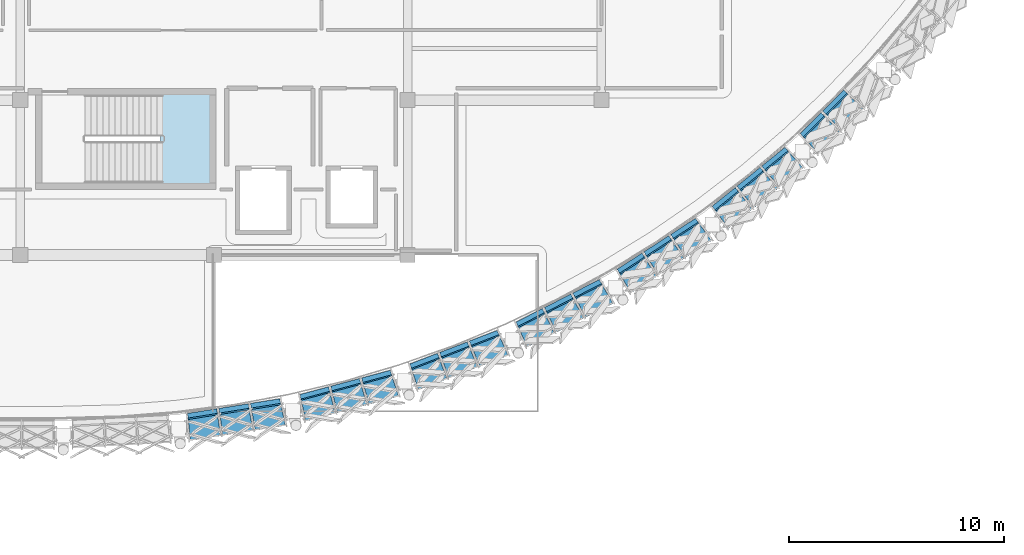
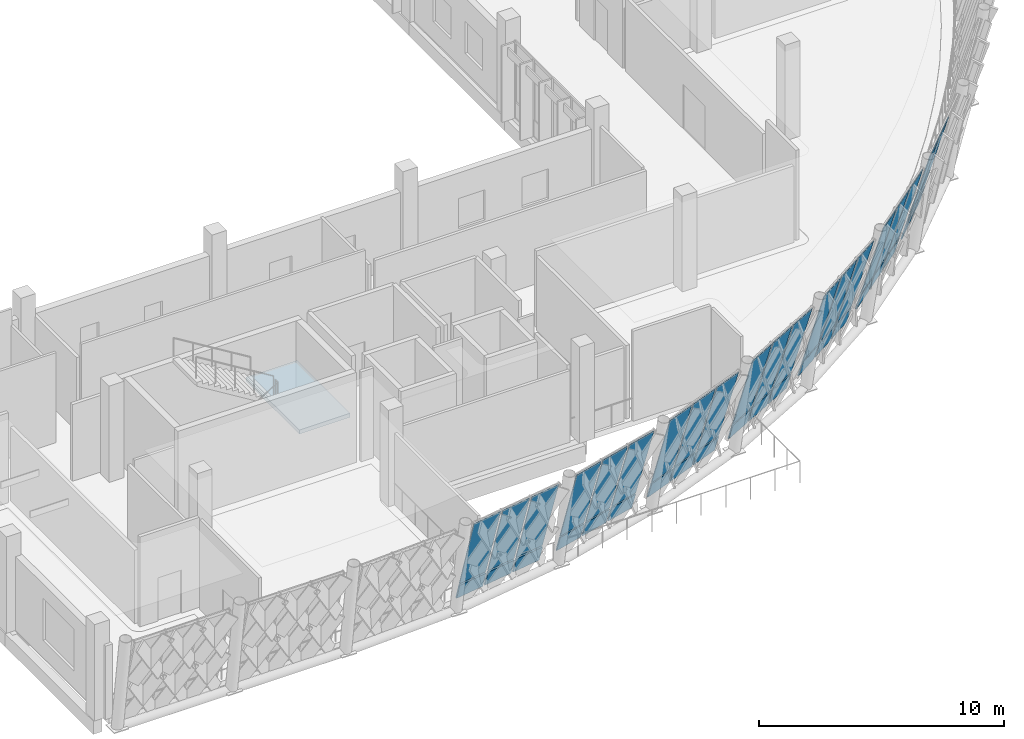
# One storey, part 138 of 177: 40 plates, 1 slab, 8 elements without a shape of their own.
"""IFC4 building model written with IfcOpenShell, lengths in metres."""

from ifc_helpers import new_model, si_unit, direction, frame, origin, place, context, subcontext, project, spatial, polyline, outline, extrude, material, layer, layer_set, type_object, element, aggregate, save


model = new_model("IFC4")

# Units and contexts
model_context = context("Model", 3, precision=1e-05, world=origin(), true_north=direction((0.0, 1.0)))
body_context = subcontext(model_context, "Body", "Model", "MODEL_VIEW")
ifc_project = project(units=[si_unit("LENGTHUNIT", "METRE"), si_unit("AREAUNIT", "SQUARE_METRE"), si_unit("VOLUMEUNIT", "CUBIC_METRE"), si_unit("PLANEANGLEUNIT", "RADIAN"), si_unit("MASSUNIT", "GRAM", prefix="KILO")], contexts=[model_context])

# Site, building, storey
site_placement = place(None, origin())
site = spatial("IfcSite", under=ifc_project, at=site_placement, CompositionType="ELEMENT")
building_placement = place(site_placement, origin())
building = spatial("IfcBuilding", under=site, at=building_placement, Name="Chiffa Square Polytechnic", CompositionType="ELEMENT")
storey_placement = place(building_placement, frame((0.0, 0.0, 4.800048828125)))
storey = spatial("IfcBuildingStorey", under=building, at=storey_placement, Name="L01", CompositionType="ELEMENT", Elevation=4.800048828125)

# Curtain wall, plates
ifc_material_1 = material(Name="Aluminium EN AW-6060 T66 and glulam shading", Category="wood")
curtain_wall_type_1 = type_object("IfcCurtainWallType", Name="CW-PROW-LEAN-300", PredefinedType="USERDEFINED", material=ifc_material_1)
curtain_wall_1_placement = place(storey_placement, origin())
curtain_wall_1 = element("IfcCurtainWall", 1, at=curtain_wall_1_placement, inside=storey, type_object=curtain_wall_type_1, Name="Outward-leaning diamond-fin prow curtain wall CW-V1-L01-019", ObjectType="CURTAIN WALL", PredefinedType="USERDEFINED")
ifc_material_2 = material(Name="Double glazing", Category="glass")
ifc_layer_1 = layer(ifc_material_2, 0.0419921875, Name="Double glazing")
ifc_layer_set_1 = layer_set([ifc_layer_1], Name="Double glazing")
plate_type_1 = type_object("IfcPlateType", Name="CWP-GLZ-136X122", PredefinedType="CURTAIN_PANEL", material=ifc_layer_set_1)
plate_1_placement = place(storey_placement, frame((157.593994140625, 19.873291015625, 0.8779296875), z_axis=(-0.680512125054, 0.680428100838, 0.27188388559), x_axis=(0.707066350424, 0.707147209453, 1.6153734e-05)))
plate_1 = element("IfcPlate", 2, at=plate_1_placement, type_object=plate_type_1, Name="Leaning prow curtain panel CW-V1-L01-019-PN01", PredefinedType="CURTAIN_PANEL", context=body_context, shape_type="SweptSolid", body=[
    extrude(outline(polyline([(0.0, 0.0), (1.3817584635321505, 0.0), (1.3629414178030255, -3.6963480846372927), (-0.05144478543564126, -3.6963950209018277), (0.0, 0.0)])), origin(), (0.0, 0.0, -1.0), 0.0419921875),
])
plate_2_placement = place(storey_placement, frame((158.64697265625, 20.926025390625, 0.8779296875), z_axis=(-0.68051201622, 0.680427992018, 0.271884430335), x_axis=(0.70705981871, 0.707153740351, -1.6539291e-05)))
plate_2 = element("IfcPlate", 3, at=plate_2_placement, type_object=plate_type_1, Name="Leaning prow curtain panel CW-V1-L01-019-PN02", PredefinedType="CURTAIN_PANEL", context=body_context, shape_type="SweptSolid", body=[
    extrude(outline(polyline([(0.0, 0.0), (1.3815858407087194, -2.7755575615628914e-17), (1.398033073979085, -3.696395581841333), (-0.01652575206398317, -3.6963475252976363), (0.0, 0.0)])), origin(), (0.0, 0.0, -1.0), 0.0419921875),
])

curtain_wall_type_2 = type_object("IfcCurtainWallType", Name="CW-PROW-LEAN-150", PredefinedType="USERDEFINED", material=ifc_material_1)
curtain_wall_2_placement = place(storey_placement, origin())
curtain_wall_2 = element("IfcCurtainWall", 4, at=curtain_wall_2_placement, inside=storey, type_object=curtain_wall_type_2, Name="Outward-leaning diamond-fin prow curtain wall CW-V1-L01-018", ObjectType="CURTAIN WALL", PredefinedType="USERDEFINED")
ifc_layer_2 = layer(ifc_material_2, 0.0419921875, Name="Double glazing")
ifc_layer_set_2 = layer_set([ifc_layer_2], Name="Double glazing")
plate_type_2 = type_object("IfcPlateType", Name="CWP-GLZ-138X126", PredefinedType="CURTAIN_PANEL", material=ifc_layer_set_2)
plate_3_placement = place(storey_placement, frame((153.48779296875, 16.483642578125, 0.8779296875), z_axis=(-0.605449366032, 0.747947579297, 0.272039489402), x_axis=(0.777265717612, 0.62917247521, 2.575425e-05)))
plate_3 = element("IfcPlate", 5, at=plate_3_placement, type_object=plate_type_2, Name="Leaning prow curtain panel CW-V1-L01-018-PN01", PredefinedType="CURTAIN_PANEL", context=body_context, shape_type="SweptSolid", body=[
    extrude(outline(polyline([(0.0, 0.0), (1.3819463724891234, 2.7755575615628914e-17), (1.3634479995526425, -3.6965033946665926), (-0.050757062173312106, -3.6965782297728738), (0.0, 0.0)])), origin(), (0.0, 0.0, -1.0), 0.0419921875),
])
plate_4_placement = place(storey_placement, frame((154.645263671875, 17.42041015625, 0.8779296875), z_axis=(-0.605503581031, 0.747930526611, 0.271965697694), x_axis=(0.777228531622, 0.629218411611, 1.1035315e-05)))
plate_4 = element("IfcPlate", 6, at=plate_4_placement, type_object=plate_type_2, Name="Leaning prow curtain panel CW-V1-L01-018-PN02", PredefinedType="CURTAIN_PANEL", context=body_context, shape_type="SweptSolid", body=[
    extrude(outline(polyline([(0.0, 0.0), (1.3817566099496634, 0.0), (1.398188262719146, -3.696443728253213), (-0.01601680556363099, -3.696475791117445), (0.0, 0.0)])), origin(), (0.0, 0.0, -1.0), 0.0419921875),
])
plate_5_placement = place(storey_placement, frame((155.802490234375, 18.357421875, 0.8779296875), z_axis=(-0.605504743472, 0.747931962482, 0.271959160779), x_axis=(0.777228531528, 0.629218411728, 1.1035071e-05)))
plate_5 = element("IfcPlate", 7, at=plate_5_placement, type_object=plate_type_2, Name="Leaning prow curtain panel CW-V1-L01-018-PN03", PredefinedType="CURTAIN_PANEL", context=body_context, shape_type="SweptSolid", body=[
    extrude(outline(polyline([(0.0, 0.0), (1.381756609949659, 2.7755575615628914e-17), (1.4330764511668628, -3.6964362321472426), (0.018871382884072484, -3.696468294240818), (0.0, 0.0)])), origin(), (0.0, 0.0, -1.0), 0.0419921875),
])

curtain_wall_3_placement = place(storey_placement, origin())
curtain_wall_3 = element("IfcCurtainWall", 8, at=curtain_wall_3_placement, inside=storey, type_object=curtain_wall_type_1, Name="Outward-leaning diamond-fin prow curtain wall CW-V1-L01-017", ObjectType="CURTAIN WALL", PredefinedType="USERDEFINED")
ifc_layer_3 = layer(ifc_material_2, 0.0400390625, Name="Double glazing")
ifc_layer_set_3 = layer_set([ifc_layer_3], Name="Double glazing")
plate_type_3 = type_object("IfcPlateType", Name="CWP-GLZ-140X130", PredefinedType="CURTAIN_PANEL", material=ifc_layer_set_3)
plate_6_placement = place(storey_placement, frame((149.05126953125, 13.541015625, 0.8779296875), z_axis=(-0.524208827609, 0.806985792166, 0.271990875397), x_axis=(0.83859700805, 0.544752289898, -2.7220661e-05)))
plate_6 = element("IfcPlate", 9, at=plate_6_placement, type_object=plate_type_3, Name="Leaning prow curtain panel CW-V1-L01-017-PN01", PredefinedType="CURTAIN_PANEL", context=body_context, shape_type="SweptSolid", body=[
    extrude(outline(polyline([(0.0, 0.0), (1.3814975861697742, 5.551115123125783e-17), (1.3625650349051028, -3.6965256409728067), (-0.051643397647062377, -3.6964465585866537), (0.0, 0.0)])), origin(), (0.0, 0.0, -1.0), 0.0400390625),
])
plate_7_placement = place(storey_placement, frame((150.299560546875, 14.35205078125, 0.8779296875), z_axis=(-0.524204087343, 0.806978494831, 0.272021660336), x_axis=(0.838597007101, 0.544752291359, -2.7223496e-05)))
plate_7 = element("IfcPlate", 10, at=plate_7_placement, type_object=plate_type_3, Name="Leaning prow curtain panel CW-V1-L01-017-PN02", PredefinedType="CURTAIN_PANEL", context=body_context, shape_type="SweptSolid", body=[
    extrude(outline(polyline([(0.0, 0.0), (1.3814975861698995, 2.7755575615628914e-17), (1.397711731220895, -3.6965600661905977), (-0.01649670133089178, -3.6964809748536056), (0.0, 0.0)])), origin(), (0.0, 0.0, -1.0), 0.0400390625),
])
plate_8_placement = place(storey_placement, frame((151.5478515625, 15.1630859375, 0.8779296875), z_axis=(-0.524194215552, 0.806963297843, 0.272085759122), x_axis=(0.838597005125, 0.5447522944, -2.7229398e-05)))
plate_8 = element("IfcPlate", 11, at=plate_8_placement, type_object=plate_type_3, Name="Leaning prow curtain panel CW-V1-L01-017-PN03", PredefinedType="CURTAIN_PANEL", context=body_context, shape_type="SweptSolid", body=[
    extrude(outline(polyline([(0.0, 0.0), (1.3814975861701602, 2.7755575615628914e-17), (1.4330631503259905, -3.696630689892755), (0.01885471777499144, -3.696551579918796), (0.0, 0.0)])), origin(), (0.0, 0.0, -1.0), 0.0400390625),
])

curtain_wall_4_placement = place(storey_placement, origin())
curtain_wall_4 = element("IfcCurtainWall", 12, at=curtain_wall_4_placement, inside=storey, type_object=curtain_wall_type_2, Name="Outward-leaning diamond-fin prow curtain wall CW-V1-L01-016", ObjectType="CURTAIN WALL", PredefinedType="USERDEFINED")
ifc_layer_4 = layer(ifc_material_2, 0.0400390625, Name="Double glazing")
ifc_layer_set_4 = layer_set([ifc_layer_4], Name="Double glazing")
plate_type_4 = type_object("IfcPlateType", Name="CWP-GLZ-144X134", PredefinedType="CURTAIN_PANEL", material=ifc_layer_set_4)
plate_9_placement = place(storey_placement, frame((144.32958984375, 11.078369140625, 0.8779296875), z_axis=(-0.43700348641, 0.857373622125, 0.271916209428), x_axis=(0.89094046899, 0.454120116424, -2.3970497e-05)))
plate_9 = element("IfcPlate", 13, at=plate_9_placement, type_object=plate_type_4, Name="Leaning prow curtain panel CW-V1-L01-016-PN01", PredefinedType="CURTAIN_PANEL", context=body_context, shape_type="SweptSolid", body=[
    extrude(outline(polyline([(0.0, 0.0), (1.381971583116127, 0.0), (1.3627534880985255, -3.6964399890798454), (-0.05197201671297795, -3.696370326022036), (0.0, 0.0)])), origin(), (0.0, 0.0, -1.0), 0.0400390625),
])
plate_10_placement = place(storey_placement, frame((145.656494140625, 11.754638671875, 0.8779296875), z_axis=(-0.436875404258, 0.857451995357, 0.271874891841), x_axis=(0.891011165537, 0.453981389857, -2.3486706e-05)))
plate_10 = element("IfcPlate", 14, at=plate_10_placement, type_object=plate_type_4, Name="Leaning prow curtain panel CW-V1-L01-016-PN02", PredefinedType="CURTAIN_PANEL", context=body_context, shape_type="SweptSolid", body=[
    extrude(outline(polyline([(0.0, 0.0), (1.3818607128262617, 0.0), (1.3979600852729184, -3.6963953224360253), (-0.016654588309172828, -3.6963270716086516), (0.0, 0.0)])), origin(), (0.0, 0.0, -1.0), 0.0400390625),
])
plate_11_placement = place(storey_placement, frame((146.983154296875, 12.430908203125, 0.8779296875), z_axis=(-0.436960819509, 0.857373910943, 0.271983858065), x_axis=(0.890959831281, 0.454082127886, -1.3353178e-05)))
plate_11 = element("IfcPlate", 15, at=plate_11_placement, type_object=plate_type_4, Name="Leaning prow curtain panel CW-V1-L01-016-PN03", PredefinedType="CURTAIN_PANEL", context=body_context, shape_type="SweptSolid", body=[
    extrude(outline(polyline([(0.0, 0.0), (1.3821890966250294, 0.0), (1.4333659257458569, -3.6964993678294857), (0.018640416133621447, -3.6964605570345306), (0.0, 0.0)])), origin(), (0.0, 0.0, -1.0), 0.0400390625),
])

curtain_wall_5_placement = place(storey_placement, origin())
curtain_wall_5 = element("IfcCurtainWall", 16, at=curtain_wall_5_placement, inside=storey, type_object=curtain_wall_type_1, Name="Outward-leaning diamond-fin prow curtain wall CW-V1-L01-015", ObjectType="CURTAIN WALL", PredefinedType="USERDEFINED")
ifc_layer_5 = layer(ifc_material_2, 0.0380859375, Name="Double glazing")
ifc_layer_set_5 = layer_set([ifc_layer_5], Name="Double glazing")
plate_type_5 = type_object("IfcPlateType", Name="CWP-GLZ-146X138", PredefinedType="CURTAIN_PANEL", material=ifc_layer_set_5)
plate_12_placement = place(storey_placement, frame((139.376953125, 9.123779296875, 0.8779296875), z_axis=(-0.344810306411, 0.898405605861, 0.271980183012), x_axis=(0.933599703469, 0.35831772728, 5.32945e-07)))
plate_12 = element("IfcPlate", 17, at=plate_12_placement, type_object=plate_type_5, Name="Leaning prow curtain panel CW-V1-L01-015-PN01", PredefinedType="CURTAIN_PANEL", context=body_context, shape_type="SweptSolid", body=[
    extrude(outline(polyline([(0.0, 0.0), (1.3817893515751447, -2.7755575615628914e-17), (1.363082200366175, -3.696474732806578), (-0.051397388963611165, -3.696476281442951), (0.0, 0.0)])), origin(), (0.0, 0.0, -1.0), 0.0380859375),
])
plate_13_placement = place(storey_placement, frame((140.76708984375, 9.6572265625, 0.8779296875), z_axis=(-0.344786610178, 0.898427877495, 0.271936651414), x_axis=(0.933613436394, 0.358281943077, 2.5470222e-05)))
plate_13 = element("IfcPlate", 18, at=plate_13_placement, type_object=plate_type_5, Name="Leaning prow curtain panel CW-V1-L01-015-PN02", PredefinedType="CURTAIN_PANEL", context=body_context, shape_type="SweptSolid", body=[
    extrude(outline(polyline([(0.0, 0.0), (1.382245216147747, 0.0), (1.3983009575739678, -3.696391222598871), (-0.015950697174320672, -3.6964652393032598), (0.0, 0.0)])), origin(), (0.0, 0.0, -1.0), 0.0380859375),
])
plate_14_placement = place(storey_placement, frame((142.15771484375, 10.19091796875, 0.8779296875), z_axis=(-0.344792154429, 0.89844232443, 0.271881885968), x_axis=(0.933616126804, 0.358274929434, 5.2064464e-05)))
plate_14 = element("IfcPlate", 19, at=plate_14_placement, type_object=plate_type_5, Name="Leaning prow curtain panel CW-V1-L01-015-PN03", PredefinedType="CURTAIN_PANEL", context=body_context, shape_type="SweptSolid", body=[
    extrude(outline(polyline([(0.0, 0.0), (1.381929812529648, 0.0), (1.4332666904162825, -3.6962912546951396), (0.018699635163151703, -3.6964425520827997), (0.0, 0.0)])), origin(), (0.0, 0.0, -1.0), 0.0380859375),
])

curtain_wall_6_placement = place(storey_placement, origin())
curtain_wall_6 = element("IfcCurtainWall", 20, at=curtain_wall_6_placement, inside=storey, type_object=curtain_wall_type_2, Name="Outward-leaning diamond-fin prow curtain wall CW-V1-L01-014", ObjectType="CURTAIN WALL", PredefinedType="USERDEFINED")
ifc_layer_6 = layer(ifc_material_2, 0.0380859375, Name="Double glazing")
ifc_layer_set_6 = layer_set([ifc_layer_6], Name="Double glazing")
plate_type_6 = type_object("IfcPlateType", Name="CWP-GLZ-148X142", PredefinedType="CURTAIN_PANEL", material=ifc_layer_set_6)
plate_15_placement = place(storey_placement, frame((134.24755859375, 7.697021484375, 0.8779296875), z_axis=(-0.249094897494, 0.929506221207, 0.271974110495), x_axis=(0.965917138567, 0.258851465922, 3.613125e-06)))
plate_15 = element("IfcPlate", 21, at=plate_15_placement, type_object=plate_type_6, Name="Leaning prow curtain panel CW-V1-L01-014-PN01", PredefinedType="CURTAIN_PANEL", context=body_context, shape_type="SweptSolid", body=[
    extrude(outline(polyline([(0.0, 0.0), (1.3818082016894895, 2.7755575615628914e-17), (1.363394884439122, -3.6964637759404253), (-0.05128173261192682, -3.696474275786642), (0.0, 0.0)])), origin(), (0.0, 0.0, -1.0), 0.0380859375),
])
plate_16_placement = place(storey_placement, frame((135.685791015625, 8.08251953125, 0.8779296875), z_axis=(-0.249093816578, 0.929502187731, 0.271988884968), x_axis=(0.96591801407, 0.258848198474, 1.5580984e-05)))
plate_16 = element("IfcPlate", 22, at=plate_16_placement, type_object=plate_type_6, Name="Leaning prow curtain panel CW-V1-L01-014-PN02", PredefinedType="CURTAIN_PANEL", context=body_context, shape_type="SweptSolid", body=[
    extrude(outline(polyline([(0.0, 0.0), (1.382044021410284, 2.7755575615628914e-17), (1.398558040671695, -3.69646229131374), (-0.01588275631170612, -3.6965075702993544), (0.0, 0.0)])), origin(), (0.0, 0.0, -1.0), 0.0380859375),
])
plate_17_placement = place(storey_placement, frame((137.124267578125, 8.468017578125, 0.8779296875), z_axis=(-0.24911430721, 0.929494630915, 0.271995943065), x_axis=(0.965911721013, 0.258871680797, 9.528854e-06)))
plate_17 = element("IfcPlate", 23, at=plate_17_placement, type_object=plate_type_6, Name="Leaning prow curtain panel CW-V1-L01-014-PN03", PredefinedType="CURTAIN_PANEL", context=body_context, shape_type="SweptSolid", body=[
    extrude(outline(polyline([(0.0, 0.0), (1.381808200963467, 1.3877787807814457e-17), (1.4333934346864938, -3.696478405147167), (0.01895263586204381, -3.6965060941150503), (0.0, 0.0)])), origin(), (0.0, 0.0, -1.0), 0.0380859375),
])

curtain_wall_7_placement = place(storey_placement, origin())
curtain_wall_7 = element("IfcCurtainWall", 24, at=curtain_wall_7_placement, inside=storey, type_object=curtain_wall_type_1, Name="Outward-leaning diamond-fin prow curtain wall CW-V1-L01-013", ObjectType="CURTAIN WALL", PredefinedType="USERDEFINED")
ifc_layer_7 = layer(ifc_material_2, 0.035888671875, Name="Double glazing")
ifc_layer_set_7 = layer_set([ifc_layer_7], Name="Double glazing")
plate_type_7 = type_object("IfcPlateType", Name="CWP-GLZ-180X140", PredefinedType="CURTAIN_PANEL", material=ifc_layer_set_7)
plate_18_placement = place(storey_placement, frame((128.997802734375, 6.814208984375, 0.8779296875), z_axis=(-0.150675704974, 0.950441842309, 0.271950613749), x_axis=(0.987665845272, 0.156576428879, 1.68409e-06)))
plate_18 = element("IfcPlate", 25, at=plate_18_placement, type_object=plate_type_7, Name="Leaning prow curtain panel CW-V1-L01-013-PN01", PredefinedType="CURTAIN_PANEL", context=body_context, shape_type="SweptSolid", body=[
    extrude(outline(polyline([(0.0, 0.0), (1.3815408020535798, -6.938893903907228e-18), (1.3623405623238423, -3.6964410029834083), (-0.051832074832850274, -3.696445895614677), (0.0, 0.0)])), origin(), (0.0, 0.0, -1.0), 0.035888671875),
])
plate_19_placement = place(storey_placement, frame((130.468017578125, 7.04736328125, 0.8779296875), z_axis=(-0.150593273397, 0.950451965469, 0.271960893042), x_axis=(0.987678347906, 0.156497541964, -2.0888578e-05)))
plate_19 = element("IfcPlate", 26, at=plate_19_placement, type_object=plate_type_7, Name="Leaning prow curtain panel CW-V1-L01-013-PN02", PredefinedType="CURTAIN_PANEL", context=body_context, shape_type="SweptSolid", body=[
    extrude(outline(polyline([(0.0, 0.0), (1.381540798004967, -6.938893903907228e-18), (1.397663052077255, -3.6964848854944727), (-0.016471372090531813, -3.6964242004933414), (0.0, 0.0)])), origin(), (0.0, 0.0, -1.0), 0.035888671875),
])
plate_20_placement = place(storey_placement, frame((131.9384765625, 7.2802734375, 0.8779296875), z_axis=(-0.150758072261, 0.950431325124, 0.27194172146), x_axis=(0.987653015584, 0.156657334707, 1.7012749e-05)))
plate_20 = element("IfcPlate", 27, at=plate_20_placement, type_object=plate_type_7, Name="Leaning prow curtain panel CW-V1-L01-013-PN03", PredefinedType="CURTAIN_PANEL", context=body_context, shape_type="SweptSolid", body=[
    extrude(outline(polyline([(0.0, 0.0), (1.3812996703213696, -6.938893903907228e-18), (1.4330341723191007, -3.6964084004218245), (0.018582166682332767, -3.696457826528348), (0.0, 0.0)])), origin(), (0.0, 0.0, -1.0), 0.035888671875),
])
ifc_material_3 = material(Name="Aluminium insulated spandrel", Category="aluminium")
ifc_layer_8 = layer(ifc_material_3, 0.072021484375, Name="Aluminium insulated spandrel")
ifc_layer_set_8 = layer_set([ifc_layer_8], Name="Aluminium insulated spandrel")
plate_type_8 = type_object("IfcPlateType", Name="CWP-SPN-136X072", PredefinedType="SHEET", material=ifc_layer_set_8)
plate_21_placement = place(storey_placement, frame((128.97314453125, 7.04736328125, 0.050048828125), z_axis=(-0.1505229356, 0.95046918825, 0.271939640444), x_axis=(0.987691418385, 0.156415031125, 9.355378e-06)))
plate_21 = element("IfcPlate", 28, at=plate_21_placement, type_object=plate_type_8, Name="Leaning prow curtain panel CW-V1-L01-013-SP01", PredefinedType="SHEET", context=body_context, shape_type="SweptSolid", body=[
    extrude(outline(polyline([(0.0, 0.0), (1.3738364577079525, 1.3877787807814457e-17), (1.3697076304672338, -0.8021909617569194), (-0.011312695963565152, -0.8022177437838938), (0.0, 0.0)])), origin(), (0.0, 0.0, -1.0), 0.072021484375),
])
plate_22_placement = place(storey_placement, frame((130.435302734375, 7.279052734375, 0.050048828125), z_axis=(-0.150601089143, 0.950424200737, 0.272053580388), x_axis=(0.987676704739, 0.156507912675, -1.3675092e-05)))
plate_22 = element("IfcPlate", 29, at=plate_22_placement, type_object=plate_type_8, Name="Leaning prow curtain panel CW-V1-L01-013-SP02", PredefinedType="SHEET", context=body_context, shape_type="SweptSolid", body=[
    extrude(outline(polyline([(0.0, 0.0), (1.373874657227361, 2.7755575615628914e-17), (1.3773354728574978, -0.8022506992409895), (-0.0036848523601259813, -0.8022115491379952), (0.0, 0.0)])), origin(), (0.0, 0.0, -1.0), 0.072021484375),
])
plate_23_placement = place(storey_placement, frame((131.8974609375, 7.5107421875, 0.050048828125), z_axis=(-0.150691484374, 0.950456476143, 0.271890719766), x_axis=(0.98766401621, 0.156587965689, 9.233819e-06)))
plate_23 = element("IfcPlate", 30, at=plate_23_placement, type_object=plate_type_8, Name="Leaning prow curtain panel CW-V1-L01-013-SP03", PredefinedType="SHEET", context=body_context, shape_type="SweptSolid", body=[
    extrude(outline(polyline([(0.0, 0.0), (1.3738746581707348, 1.3877787807814457e-17), (1.3850398364801182, -0.8021794647942241), (0.003981292494311094, -0.8022058991805178), (0.0, 0.0)])), origin(), (0.0, 0.0, -1.0), 0.072021484375),
])
aggregate(curtain_wall_7, [plate_21, plate_18, plate_22, plate_19, plate_23, plate_20])

# Plate
ifc_layer_9 = layer(ifc_material_3, 0.068115234375, Name="Aluminium insulated spandrel")
ifc_layer_set_9 = layer_set([ifc_layer_9], Name="Aluminium insulated spandrel")
plate_type_9 = type_object("IfcPlateType", Name="CWP-SPN-140X076", PredefinedType="SHEET", material=ifc_layer_set_9)
plate_24_placement = place(storey_placement, frame((157.437255859375, 20.047119140625, 0.050048828125), z_axis=(-0.680570994366, 0.680400446567, 0.271805728304), x_axis=(0.707018148488, 0.707195402777, -8.6487e-08)))
plate_24 = element("IfcPlate", 31, at=plate_24_placement, type_object=plate_type_9, Name="Leaning prow curtain panel CW-V1-L01-019-SP01", PredefinedType="SHEET", context=body_context, shape_type="SweptSolid", body=[
    extrude(outline(polyline([(0.0, 0.0), (1.3739899696985556, 0.0), (1.3699920045143452, -0.8021728644757786), (-0.011248571770284444, -0.8021726168622086), (0.0, 0.0)])), origin(), (0.0, 0.0, -1.0), 0.068115234375),
])

plate_25_placement = place(storey_placement, frame((158.484130859375, 21.09423828125, 0.050048828125), z_axis=(-0.680445688802, 0.680445688802, 0.272006119749), x_axis=(0.707106781187, 0.707106781187, 0.0)))
plate_25 = element("IfcPlate", 32, at=plate_25_placement, type_object=plate_type_9, Name="Leaning prow curtain panel CW-V1-L01-019-SP02", PredefinedType="SHEET", context=body_context, shape_type="SweptSolid", body=[
    extrude(outline(polyline([(0.0, 0.0), (1.3741625923449508, 0.0), (1.3776152621749633, -0.8022199407065446), (-0.003452669830012439, -0.8022199407065446), (0.0, 0.0)])), origin(), (0.0, 0.0, -1.0), 0.068115234375),
])

aggregate(curtain_wall_1, [plate_24, plate_1, plate_25, plate_2])

ifc_layer_10 = layer(ifc_material_3, 0.06591796875, Name="Aluminium insulated spandrel")
ifc_layer_set_10 = layer_set([ifc_layer_10], Name="Aluminium insulated spandrel")
plate_type_10 = type_object("IfcPlateType", Name="CWP-SPN-144X078", PredefinedType="SHEET", material=ifc_layer_set_10)
plate_26_placement = place(storey_placement, frame((153.349853515625, 16.673095703125, 0.050048828125), z_axis=(-0.605431751527, 0.748006665407, 0.271916205383), x_axis=(0.777295014291, 0.629136281537, 3.493413e-06)))
plate_26 = element("IfcPlate", 33, at=plate_26_placement, type_object=plate_type_10, Name="Leaning prow curtain panel CW-V1-L01-018-SP01", PredefinedType="SHEET", context=body_context, shape_type="SweptSolid", body=[
    extrude(outline(polyline([(0.0, 0.0), (1.3741301905384504, 0.0), (1.3700298317822348, -0.8021937838537045), (-0.011040042199103086, -0.8022037857688527), (0.0, 0.0)])), origin(), (0.0, 0.0, -1.0), 0.06591796875),
])

plate_27_placement = place(storey_placement, frame((154.500732421875, 17.604736328125, 0.050048828125), z_axis=(-0.605428711385, 0.747982831289, 0.2719885283), x_axis=(0.777292568156, 0.629139302683, 3.6181717e-05)))
plate_27 = element("IfcPlate", 34, at=plate_27_placement, type_object=plate_type_10, Name="Leaning prow curtain panel CW-V1-L01-018-SP02", PredefinedType="SHEET", context=body_context, shape_type="SweptSolid", body=[
    extrude(outline(polyline([(0.0, 0.0), (1.374319958264362, 5.551115123125783e-17), (1.377870404017171, -0.8021639893240383), (-0.003353067597349976, -0.8022675955181263), (0.0, 0.0)])), origin(), (0.0, 0.0, -1.0), 0.06591796875),
])

plate_28_placement = place(storey_placement, frame((155.65185546875, 18.536376953125, 0.050048828125), z_axis=(-0.605380186776, 0.748028222336, 0.271971704498), x_axis=(0.777327490226, 0.629096155461, -1.1095378e-05)))
plate_28 = element("IfcPlate", 35, at=plate_28_placement, type_object=plate_type_10, Name="Leaning prow curtain panel CW-V1-L01-018-SP03", PredefinedType="SHEET", context=body_context, shape_type="SweptSolid", body=[
    extrude(outline(polyline([(0.0, 0.0), (1.374130189508358, 5.551115123125783e-17), (1.3853188408835737, -0.802227804394557), (0.004059192617037861, -0.8021960347541319), (0.0, 0.0)])), origin(), (0.0, 0.0, -1.0), 0.06591796875),
])

aggregate(curtain_wall_2, [plate_26, plate_3, plate_27, plate_4, plate_28, plate_5])

ifc_layer_11 = layer(ifc_material_3, 0.06396484375, Name="Aluminium insulated spandrel")
ifc_layer_set_11 = layer_set([ifc_layer_11], Name="Aluminium insulated spandrel")
plate_type_11 = type_object("IfcPlateType", Name="CWP-SPN-146X082", PredefinedType="SHEET", material=ifc_layer_set_11)
plate_29_placement = place(storey_placement, frame((148.933837890625, 13.743896484375, 0.050048828125), z_axis=(-0.524236286917, 0.806950341112, 0.272043126101), x_axis=(0.838577558398, 0.544782230388, 2.127839e-06)))
plate_29 = element("IfcPlate", 36, at=plate_29_placement, type_object=plate_type_11, Name="Leaning prow curtain panel CW-V1-L01-017-SP01", PredefinedType="SHEET", context=body_context, shape_type="SweptSolid", body=[
    extrude(outline(polyline([(0.0, 0.0), (1.3735757950833833, 0.0), (1.3698032267907532, -0.802225632787319), (-0.011356629433974736, -0.8022317241566629), (0.0, 0.0)])), origin(), (0.0, 0.0, -1.0), 0.06396484375),
])

plate_30_placement = place(storey_placement, frame((150.17529296875, 14.55029296875, 0.050048828125), z_axis=(-0.524318418815, 0.806945491026, 0.271899191253), x_axis=(0.838534059862, 0.544849181102, -1.7424066e-05)))
plate_30 = element("IfcPlate", 37, at=plate_30_placement, type_object=plate_type_11, Name="Leaning prow curtain panel CW-V1-L01-017-SP02", PredefinedType="SHEET", context=body_context, shape_type="SweptSolid", body=[
    extrude(outline(polyline([(0.0, 0.0), (1.3737088094942151, -2.7755575615628914e-17), (1.3774877869934272, -0.8022196910628815), (-0.003672065580389473, -0.8021698108480663), (0.0, 0.0)])), origin(), (0.0, 0.0, -1.0), 0.06396484375),
])

plate_31_placement = place(storey_placement, frame((151.41650390625, 15.35693359375, 0.050048828125), z_axis=(-0.524298643625, 0.806915056275, 0.272027616704), x_axis=(0.838537961323, 0.544843176847, 7.914796e-06)))
plate_31 = element("IfcPlate", 38, at=plate_31_placement, type_object=plate_type_11, Name="Leaning prow curtain panel CW-V1-L01-017-SP03", PredefinedType="SHEET", context=body_context, shape_type="SweptSolid", body=[
    extrude(outline(polyline([(0.0, 0.0), (1.3739135301998653, 2.7755575615628914e-17), (1.385297693824208, -0.8022136125720708), (0.00434256159765422, -0.8022362712689132), (0.0, 0.0)])), origin(), (0.0, 0.0, -1.0), 0.06396484375),
])

aggregate(curtain_wall_3, [plate_29, plate_6, plate_30, plate_7, plate_31, plate_8])

ifc_layer_12 = layer(ifc_material_3, 0.06201171875, Name="Aluminium insulated spandrel")
ifc_layer_set_12 = layer_set([ifc_layer_12], Name="Aluminium insulated spandrel")
plate_type_12 = type_object("IfcPlateType", Name="CWP-SPN-148X084", PredefinedType="SHEET", material=ifc_layer_set_12)
plate_32_placement = place(storey_placement, frame((144.234130859375, 11.292236328125, 0.050048828125), z_axis=(-0.43701321818, 0.857401860172, 0.271811510627), x_axis=(0.890943533889, 0.454114103706, -1.5364641e-05)))
plate_32 = element("IfcPlate", 39, at=plate_32_placement, type_object=plate_type_12, Name="Leaning prow curtain panel CW-V1-L01-016-SP01", PredefinedType="SHEET", context=body_context, shape_type="SweptSolid", body=[
    extrude(outline(polyline([(0.0, 0.0), (1.3745465159094648, -2.7755575615628914e-17), (1.3702280725115206, -0.8021959795054262), (-0.011086743591231537, -0.8021519801315034), (0.0, 0.0)])), origin(), (0.0, 0.0, -1.0), 0.06201171875),
])

plate_33_placement = place(storey_placement, frame((145.5537109375, 11.96484375, 0.050048828125), z_axis=(-0.437056029385, 0.85731860494, 0.272005214659), x_axis=(0.890907628265, 0.454184541403, -1.5833749e-05)))
plate_33 = element("IfcPlate", 40, at=plate_33_placement, type_object=plate_type_12, Name="Leaning prow curtain panel CW-V1-L01-016-SP02", PredefinedType="SHEET", context=body_context, shape_type="SweptSolid", body=[
    extrude(outline(polyline([(0.0, 0.0), (1.3743290107699788, 0.0), (1.3778530445155261, -0.8022423989227703), (-0.0037901520458054638, -0.8021970517726162), (0.0, 0.0)])), origin(), (0.0, 0.0, -1.0), 0.06201171875),
])

plate_34_placement = place(storey_placement, frame((146.873046875, 12.637451171875, 0.050048828125), z_axis=(-0.436995727743, 0.857367544656, 0.27194783931), x_axis=(0.890948846491, 0.454103680075, 2.6043042e-05)))
plate_34 = element("IfcPlate", 41, at=plate_34_placement, type_object=plate_type_12, Name="Leaning prow curtain panel CW-V1-L01-016-SP03", PredefinedType="SHEET", context=body_context, shape_type="SweptSolid", body=[
    extrude(outline(polyline([(0.0, 0.0), (1.3744356494804315, 0.0), (1.385547754357042, -0.8021687123584045), (0.004122072483219073, -0.8022432942109694), (0.0, 0.0)])), origin(), (0.0, 0.0, -1.0), 0.06201171875),
])

aggregate(curtain_wall_4, [plate_32, plate_9, plate_33, plate_10, plate_34, plate_11])

ifc_layer_13 = layer(ifc_material_3, 0.06005859375, Name="Aluminium insulated spandrel")
ifc_layer_set_13 = layer_set([ifc_layer_13], Name="Aluminium insulated spandrel")
plate_type_13 = type_object("IfcPlateType", Name="CWP-SPN-150X080", PredefinedType="SHEET", material=ifc_layer_set_13)
plate_35_placement = place(storey_placement, frame((139.30419921875, 9.3466796875, 0.050048828125), z_axis=(-0.344760768862, 0.898389956051, 0.27209465103), x_axis=(0.933614831154, 0.358278309488, 4.86207e-07)))
plate_35 = element("IfcPlate", 42, at=plate_35_placement, type_object=plate_type_13, Name="Leaning prow curtain panel CW-V1-L01-015-SP01", PredefinedType="SHEET", context=body_context, shape_type="SweptSolid", body=[
    extrude(outline(polyline([(0.0, 0.0), (1.374445044624325, -2.7755575615628914e-17), (1.3701746314842058, -0.8022401144147598), (-0.011071382062207976, -0.8022415067850113), (0.0, 0.0)])), origin(), (0.0, 0.0, -1.0), 0.06005859375),
])

plate_36_placement = place(storey_placement, frame((140.68701171875, 9.877197265625, 0.050048828125), z_axis=(-0.344672942022, 0.898468497642, 0.271946542144), x_axis=(0.933657191123, 0.358167906533, 1.3936626e-05)))
plate_36 = element("IfcPlate", 43, at=plate_36_placement, type_object=plate_type_13, Name="Leaning prow curtain panel CW-V1-L01-015-SP02", PredefinedType="SHEET", context=body_context, shape_type="SweptSolid", body=[
    extrude(outline(polyline([(0.0, 0.0), (1.3743575918243627, 0.0), (1.3777830600225225, -0.8021859499761463), (-0.003690887058720689, -0.8022258611272454), (0.0, 0.0)])), origin(), (0.0, 0.0, -1.0), 0.06005859375),
])

plate_37_placement = place(storey_placement, frame((142.069580078125, 10.40771484375, 0.050048828125), z_axis=(-0.344575098101, 0.8985209139, 0.271897350214), x_axis=(0.933696826995, 0.358064568561, 6.33989e-07)))
plate_37 = element("IfcPlate", 44, at=plate_37_placement, type_object=plate_type_13, Name="Leaning prow curtain panel CW-V1-L01-015-SP03", PredefinedType="SHEET", context=body_context, shape_type="SweptSolid", body=[
    extrude(outline(polyline([(0.0, 0.0), (1.3745855443682895, 1.3877787807814457e-17), (1.3855971261460975, -0.8021934033977052), (0.0042106142027388055, -0.8021952190556222), (0.0, 0.0)])), origin(), (0.0, 0.0, -1.0), 0.06005859375),
])

aggregate(curtain_wall_5, [plate_35, plate_12, plate_36, plate_13, plate_37, plate_14])

ifc_layer_14 = layer(ifc_material_3, 0.06005859375, Name="Aluminium insulated spandrel")
ifc_layer_set_14 = layer_set([ifc_layer_14], Name="Aluminium insulated spandrel")
plate_type_14 = type_object("IfcPlateType", Name="CWP-SPN-150X095", PredefinedType="SHEET", material=ifc_layer_set_14)
plate_38_placement = place(storey_placement, frame((134.198486328125, 7.926025390625, 0.050048828125), z_axis=(-0.249110563405, 0.92951830007, 0.27191847498), x_axis=(0.965914019317, 0.258863105252, 5.119211e-06)))
plate_38 = element("IfcPlate", 45, at=plate_38_placement, type_object=plate_type_14, Name="Leaning prow curtain panel CW-V1-L01-014-SP01", PredefinedType="SHEET", context=body_context, shape_type="SweptSolid", body=[
    extrude(outline(polyline([(0.0, 0.0), (1.3742280437936012, -2.7755575615628914e-17), (1.3703753345318193, -0.8021920020125449), (-0.011197047983024535, -0.8022066619170626), (0.0, 0.0)])), origin(), (0.0, 0.0, -1.0), 0.06005859375),
])

plate_39_placement = place(storey_placement, frame((135.62890625, 8.309326171875, 0.050048828125), z_axis=(-0.249109767109, 0.929515328811, 0.271929361116), x_axis=(0.965910733904, 0.258875361024, -3.9783688e-05)))
plate_39 = element("IfcPlate", 46, at=plate_39_placement, type_object=plate_type_14, Name="Leaning prow curtain panel CW-V1-L01-014-SP02", PredefinedType="SHEET", context=body_context, shape_type="SweptSolid", body=[
    extrude(outline(polyline([(0.0, 0.0), (1.3742912442899953, -4.163336342344337e-17), (1.3779180592403348, -0.8022588221668859), (-0.003591120462105171, -0.8021448930966303), (0.0, 0.0)])), origin(), (0.0, 0.0, -1.0), 0.06005859375),
])

plate_40_placement = place(storey_placement, frame((137.059326171875, 8.69287109375, 0.050048828125), z_axis=(-0.249108970785, 0.929512357452, 0.271940247148), x_axis=(0.965914899408, 0.258859820767, 1.715159e-05)))
plate_40 = element("IfcPlate", 47, at=plate_40_placement, type_object=plate_type_14, Name="Leaning prow curtain panel CW-V1-L01-014-SP03", PredefinedType="SHEET", context=body_context, shape_type="SweptSolid", body=[
    extrude(outline(polyline([(0.0, 0.0), (1.3744638627534265, 1.3877787807814457e-17), (1.3855456799387216, -0.8021797257614305), (0.00420911678242624, -0.8022288431503681), (0.0, 0.0)])), origin(), (0.0, 0.0, -1.0), 0.06005859375),
])

aggregate(curtain_wall_6, [plate_38, plate_15, plate_39, plate_16, plate_40, plate_17])

# Stair, slab
ifc_material_4 = material(Name="Concrete C35/45", Category="concrete")
stair_type = type_object("IfcStairType", Name="STAIR-DOG-1950", PredefinedType="HALF_TURN_STAIR", material=ifc_material_4)
stair_placement = place(storey_placement, origin())
stair = element("IfcStair", 48, at=stair_placement, inside=storey, type_object=stair_type, Name="L01 Enclosed exit stair ST-V1A", PredefinedType="HALF_TURN_STAIR")
ifc_layer_15 = layer(ifc_material_4, 0.199951171875, Name="Concrete C35/45")
ifc_layer_set_15 = layer_set([ifc_layer_15], Name="Concrete C35/45")
slab_type = type_object("IfcSlabType", Name="SLB-LND-200", PredefinedType="LANDING", material=ifc_layer_set_15)
slab_placement = place(storey_placement, frame((0.0, 0.0, 2.199951171875)))
slab = element("IfcSlab", 49, at=slab_placement, type_object=slab_type, Name="ST-V1A landing 1", PredefinedType="LANDING", context=body_context, shape_type="SweptSolid", body=[
    extrude(outline(polyline([(127.719970703125, 17.6298828125), (127.719970703125, 21.969970703125), (130.1201171875, 21.969970703125), (130.1201171875, 17.6298828125), (127.719970703125, 17.6298828125)])), origin(), (0.0, 0.0, 1.0), 0.199951171875),
])
aggregate(stair, [slab])

save(model, "model.ifc")
